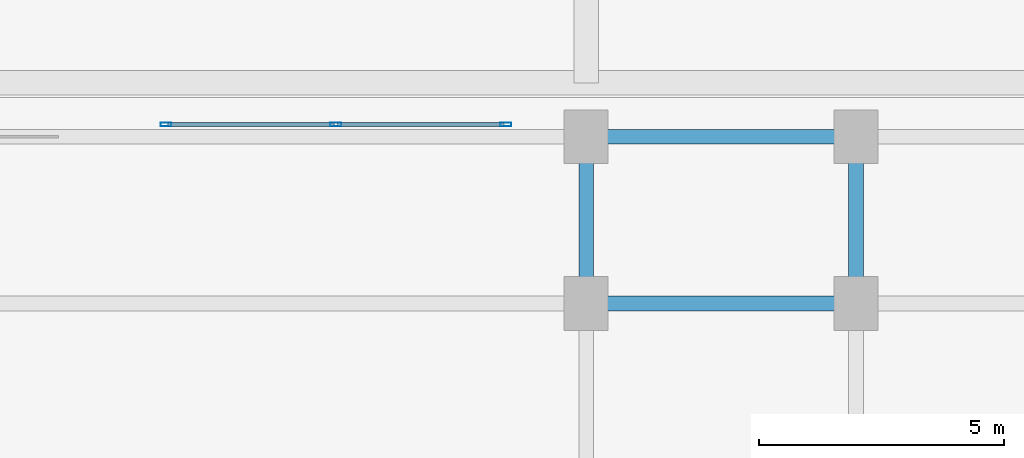
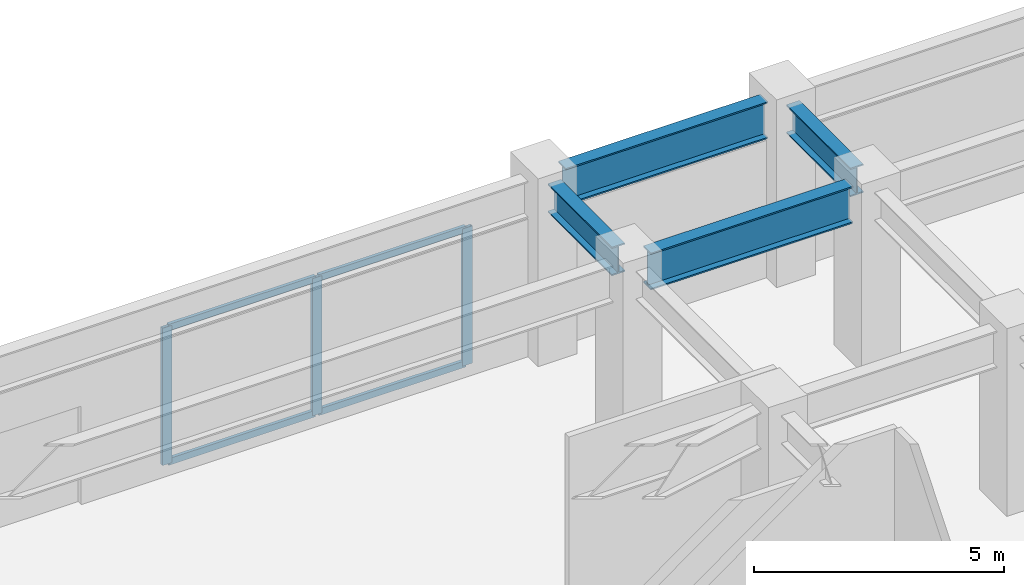
# One storey, part 11 of 23: 7 members, 4 beams, 1 element without a shape of its own.
"""IFC4 building model written with IfcOpenShell, lengths in metres."""

from ifc_helpers import new_model, si_unit, direction, frame, origin, origin_2d, place, context, subcontext, project, spatial, hollow_rectangle, i_section, extrude, material, layer, layer_set, material_profile, profile_set, type_object, element, aggregate, save


model = new_model("IFC4")

# Units and contexts
model_context = context("Model", 3, precision=1e-05, world=origin(), true_north=direction((0.0, 1.0)))
body_context = subcontext(model_context, "Body", "Model", "MODEL_VIEW")
ifc_project = project(units=[si_unit("LENGTHUNIT", "METRE"), si_unit("AREAUNIT", "SQUARE_METRE"), si_unit("VOLUMEUNIT", "CUBIC_METRE"), si_unit("PLANEANGLEUNIT", "RADIAN"), si_unit("MASSUNIT", "GRAM", prefix="KILO")], contexts=[model_context])

# Site, building, storey
site_placement = place(None, origin())
site = spatial("IfcSite", under=ifc_project, at=site_placement, CompositionType="ELEMENT")
building_placement = place(site_placement, origin())
building = spatial("IfcBuilding", under=site, at=building_placement, Name="Varnakorn Sky Granary", CompositionType="ELEMENT")
storey_placement = place(building_placement, origin())
storey = spatial("IfcBuildingStorey", under=building, at=storey_placement, Name="L00", CompositionType="ELEMENT", Elevation=0.0)

# Beams
ifc_material_1 = material(Name="Steel S355JR", Category="steel")
ifc_material_profile_1 = material_profile(ifc_material_1, i_section(OverallWidth=0.300048828125, OverallDepth=0.699951171875, WebThickness=0.01708984375, FlangeThickness=0.031982421875, at=origin_2d()), Name="HE 700 B")
ifc_profile_set_1 = profile_set([ifc_material_profile_1], Name="Steel S355JR")
beam_type_1 = type_object("IfcBeamType", Name="BM-PG-700", PredefinedType="T_BEAM", material=ifc_profile_set_1)
for number, where, z_axis, x_axis, name in (
    (1, (15.0, 20.219970703125, 3.929931640625), (0.0, 1.0, 0.0), (-1.0, 0.0, 0.0), "Podium Y-Girder GY60 L00"),
    (2, (20.5, 20.219970703125, 3.929931640625), (0.0, 1.0, 0.0), (-1.0, 0.0, 0.0), "Podium Y-Girder GY65 L00"),
):
    element("IfcBeam", number, at=place(storey_placement, frame(where, z_axis=z_axis, x_axis=x_axis)), inside=storey, type_object=beam_type_1, Name=name, PredefinedType="T_BEAM", context=body_context, shape_type="SweptSolid", body=[
        extrude(i_section(OverallWidth=0.300048828125, OverallDepth=0.699951171875, WebThickness=0.01708984375, FlangeThickness=0.031982421875, at=origin_2d()), origin(), (0.0, 0.0, 1.0), 2.56005859375),
    ])
ifc_material_profile_2 = material_profile(ifc_material_1, i_section(OverallWidth=0.300048828125, OverallDepth=0.89990234375, WebThickness=0.0185546875, FlangeThickness=0.034912109375, at=origin_2d()), Name="HE 900 B")
ifc_profile_set_2 = profile_set([ifc_material_profile_2], Name="Steel S355JR")
beam_type_2 = type_object("IfcBeamType", Name="BM-PG-900", PredefinedType="BEAM", material=ifc_profile_set_2)
for number, where, z_axis, x_axis, name in (
    (3, (15.419921875, 19.800048828125, 3.830078125), (1.0, 0.0, 0.0), (0.0, 1.0, 0.0), "Podium X-Girder GX30 L00"),
    (4, (15.419921875, 23.199951171875, 3.830078125), (1.0, 0.0, 0.0), (0.0, 1.0, 0.0), "Podium X-Girder GX37 L00"),
):
    element("IfcBeam", number, at=place(storey_placement, frame(where, z_axis=z_axis, x_axis=x_axis)), inside=storey, type_object=beam_type_2, Name=name, PredefinedType="BEAM", context=body_context, shape_type="SweptSolid", body=[
        extrude(i_section(OverallWidth=0.300048828125, OverallDepth=0.89990234375, WebThickness=0.0185546875, FlangeThickness=0.034912109375, at=origin_2d()), origin(), (0.0, 0.0, 1.0), 4.66015625),
    ])

# Curtain wall, members
ifc_material_2 = material(Name="Anodised Bronze Aluminium Alloy 6063-T6", Category="aluminium")
ifc_layer = layer(ifc_material_2, 0.219970703125, Name="Anodised Bronze Aluminium Alloy 6063-T6")
ifc_layer_set = layer_set([ifc_layer], Name="Anodised Bronze Aluminium Alloy 6063-T6")
curtain_wall_type = type_object("IfcCurtainWallType", Name="CW-POD-1", PredefinedType="USERDEFINED", material=ifc_layer_set)
curtain_wall_placement = place(storey_placement, origin())
curtain_wall = element("IfcCurtainWall", 5, at=curtain_wall_placement, inside=storey, type_object=curtain_wall_type, Name="Unitised Curtain Wall CW1 CW-L00-P2", ObjectType="CURTAIN WALL", PredefinedType="USERDEFINED")
ifc_material_profile_3 = material_profile(ifc_material_2, hollow_rectangle(XDim=0.074951171875, YDim=0.219970703125, WallThickness=0.00390625, at=origin_2d()), Name="ALU MULL 75x220")
ifc_profile_set_3 = profile_set([ifc_material_profile_3], Name="Anodised Bronze Aluminium Alloy 6063-T6")
member_type_1 = type_object("IfcMemberType", Name="CW-POD-1-MULL", PredefinedType="MULLION", material=ifc_profile_set_3)
member_1_placement = place(storey_placement, frame((6.4375, 23.449951171875, 0.0), z_axis=(0.0, 0.0, 1.0), x_axis=(0.0, 1.0, 0.0)))
member_1 = element("IfcMember", 6, at=member_1_placement, type_object=member_type_1, Name="CW1 mullion 1", PredefinedType="MULLION", context=body_context, shape_type="SweptSolid", body=[
    extrude(hollow_rectangle(XDim=0.074951171875, YDim=0.219970703125, WallThickness=0.00390625, at=origin_2d()), origin(), (0.0, 0.0, 1.0), 3.35009765625),
])
member_2_placement = place(storey_placement, frame((9.89990234375, 23.449951171875, 0.0), z_axis=(0.0, 0.0, 1.0), x_axis=(0.0, 1.0, 0.0)))
member_2 = element("IfcMember", 7, at=member_2_placement, type_object=member_type_1, Name="CW1 mullion 2", PredefinedType="MULLION", context=body_context, shape_type="SweptSolid", body=[
    extrude(hollow_rectangle(XDim=0.074951171875, YDim=0.219970703125, WallThickness=0.00390625, at=origin_2d()), origin(), (0.0, 0.0, 1.0), 3.35009765625),
])
member_3_placement = place(storey_placement, frame((13.362548828125, 23.449951171875, 0.0), z_axis=(0.0, 0.0, 1.0), x_axis=(0.0, 1.0, 0.0)))
member_3 = element("IfcMember", 8, at=member_3_placement, type_object=member_type_1, Name="CW1 mullion 3", PredefinedType="MULLION", context=body_context, shape_type="SweptSolid", body=[
    extrude(hollow_rectangle(XDim=0.074951171875, YDim=0.219970703125, WallThickness=0.00390625, at=origin_2d()), origin(), (0.0, 0.0, 1.0), 3.35009765625),
])
ifc_material_profile_4 = material_profile(ifc_material_2, hollow_rectangle(XDim=0.074951171875, YDim=0.159912109375, WallThickness=0.00390625, at=origin_2d()), Name="ALU TRAN 75x160")
ifc_profile_set_4 = profile_set([ifc_material_profile_4], Name="Anodised Bronze Aluminium Alloy 6063-T6")
member_type_2 = type_object("IfcMemberType", Name="CW-POD-1-TRAN", PredefinedType="USERDEFINED", material=ifc_profile_set_4)
member_4_placement = place(storey_placement, frame((6.47509765625, 23.449951171875, 0.03759765625), z_axis=(1.0, 0.0, 0.0), x_axis=(0.0, 1.0, 0.0)))
member_4 = element("IfcMember", 9, at=member_4_placement, type_object=member_type_2, Name="CW1 transom 1.1", ObjectType="TRANSOM", PredefinedType="USERDEFINED", context=body_context, shape_type="SweptSolid", body=[
    extrude(hollow_rectangle(XDim=0.074951171875, YDim=0.159912109375, WallThickness=0.00390625, at=origin_2d()), origin(), (0.0, 0.0, 1.0), 3.387451171875),
])
member_5_placement = place(storey_placement, frame((6.47509765625, 23.449951171875, 3.3125), z_axis=(1.0, 0.0, 0.0), x_axis=(0.0, 1.0, 0.0)))
member_5 = element("IfcMember", 10, at=member_5_placement, type_object=member_type_2, Name="CW1 transom 1.2", ObjectType="TRANSOM", PredefinedType="USERDEFINED", context=body_context, shape_type="SweptSolid", body=[
    extrude(hollow_rectangle(XDim=0.074951171875, YDim=0.159912109375, WallThickness=0.00390625, at=origin_2d()), origin(), (0.0, 0.0, 1.0), 3.387451171875),
])
member_6_placement = place(storey_placement, frame((9.9375, 23.449951171875, 0.03759765625), z_axis=(1.0, 0.0, 0.0), x_axis=(0.0, 1.0, 0.0)))
member_6 = element("IfcMember", 11, at=member_6_placement, type_object=member_type_2, Name="CW1 transom 2.1", ObjectType="TRANSOM", PredefinedType="USERDEFINED", context=body_context, shape_type="SweptSolid", body=[
    extrude(hollow_rectangle(XDim=0.074951171875, YDim=0.159912109375, WallThickness=0.00390625, at=origin_2d()), origin(), (0.0, 0.0, 1.0), 3.387451171875),
])
member_7_placement = place(storey_placement, frame((9.9375, 23.449951171875, 3.3125), z_axis=(1.0, 0.0, 0.0), x_axis=(0.0, 1.0, 0.0)))
member_7 = element("IfcMember", 12, at=member_7_placement, type_object=member_type_2, Name="CW1 transom 2.2", ObjectType="TRANSOM", PredefinedType="USERDEFINED", context=body_context, shape_type="SweptSolid", body=[
    extrude(hollow_rectangle(XDim=0.074951171875, YDim=0.159912109375, WallThickness=0.00390625, at=origin_2d()), origin(), (0.0, 0.0, 1.0), 3.387451171875),
])
aggregate(curtain_wall, [member_1, member_2, member_3, member_4, member_5, member_6, member_7])

save(model, "model.ifc")
